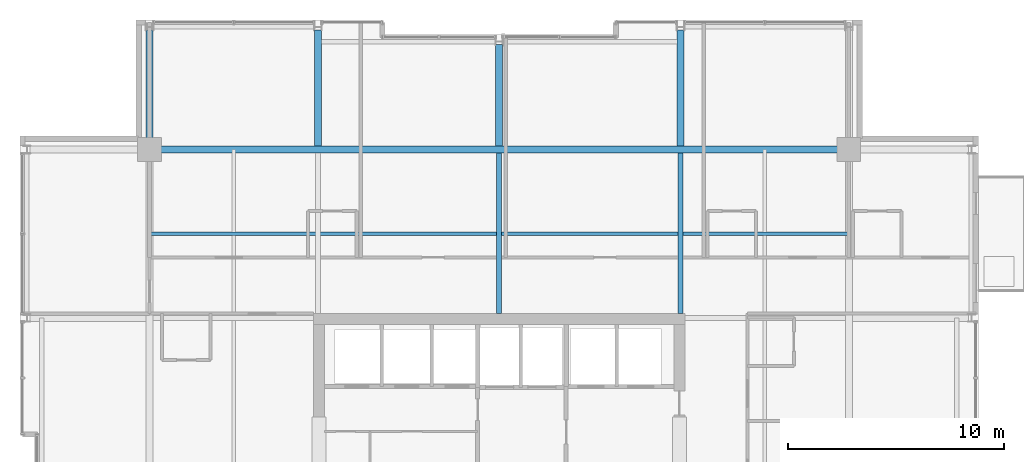
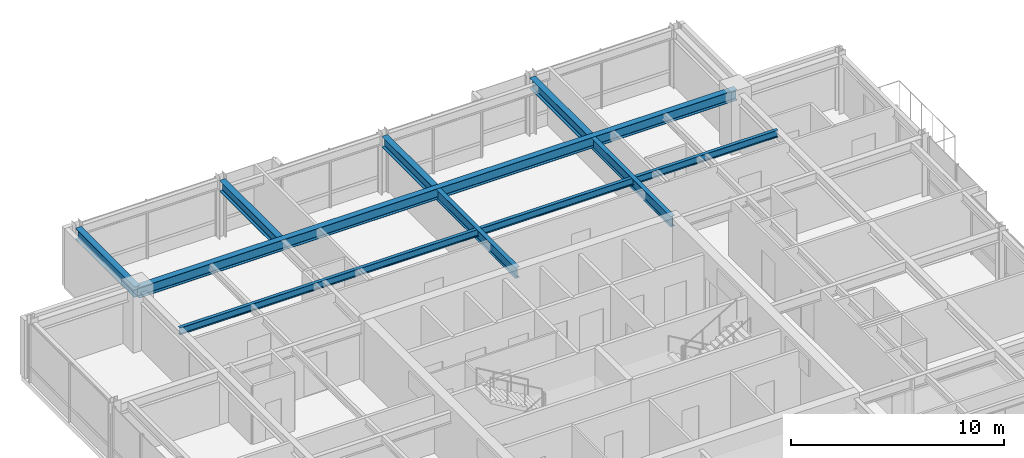
# One storey, part 20 of 33: 8 beams.
"""IFC4 building model written with IfcOpenShell, lengths in metres."""

from ifc_helpers import new_model, si_unit, direction, frame, origin, origin_2d, place, context, subcontext, project, spatial, i_section, extrude, material, material_profile, profile_set, type_object, element, save


model = new_model("IFC4")

# Units and contexts
model_context = context("Model", 3, precision=1e-05, world=origin(), true_north=direction((0.0, 1.0)))
body_context = subcontext(model_context, "Body", "Model", "MODEL_VIEW")
ifc_project = project(units=[si_unit("LENGTHUNIT", "METRE"), si_unit("AREAUNIT", "SQUARE_METRE"), si_unit("VOLUMEUNIT", "CUBIC_METRE"), si_unit("PLANEANGLEUNIT", "RADIAN"), si_unit("MASSUNIT", "GRAM", prefix="KILO")], contexts=[model_context])

# Site, building, storey
site_placement = place(None, origin())
site = spatial("IfcSite", under=ifc_project, at=site_placement, CompositionType="ELEMENT")
building_placement = place(site_placement, origin())
building = spatial("IfcBuilding", under=site, at=building_placement, Name="Drelvath Grand Hotel", CompositionType="ELEMENT")
storey_placement = place(building_placement, frame((0.0, 0.0, 248.300048828125)))
storey = spatial("IfcBuildingStorey", under=building, at=storey_placement, Name="L65", CompositionType="ELEMENT", Elevation=248.300048828125)

# Beams
ifc_material = material(Name="Steel ASTM A992 Gr 50", Category="steel")
ifc_material_profile_1 = material_profile(ifc_material, i_section(OverallWidth=0.177734375, OverallDepth=0.40673828125, WebThickness=0.0078125, FlangeThickness=0.0126953125, FilletRadius=0.014892578125, at=origin_2d()), Name="W16X40")
ifc_profile_set_1 = profile_set([ifc_material_profile_1], Name="Steel ASTM A992 Gr 50")
beam_type_1 = type_object("IfcBeamType", Name="Composite Floor Joist W16X40", PredefinedType="JOIST", material=ifc_profile_set_1)
beam_1_placement = place(storey_placement, frame((-16.199951171875, 39.300048828125, 3.136474609375), z_axis=(1.0, 0.0, 0.0), x_axis=(0.0, 1.0, 0.0)))
element("IfcBeam", 1, at=beam_1_placement, inside=storey, type_object=beam_type_1, Name="L65 Floor Joist J2", PredefinedType="JOIST", context=body_context, shape_type="SweptSolid", body=[
    extrude(i_section(OverallWidth=0.177734375, OverallDepth=0.40673828125, WebThickness=0.0078125, FlangeThickness=0.0126953125, FilletRadius=0.014892578125, at=origin_2d()), origin(), (0.0, 0.0, 1.0), 32.39990234375),
])
ifc_material_profile_2 = material_profile(ifc_material, i_section(OverallWidth=0.323974609375, OverallDepth=0.611083984375, WebThickness=0.0126953125, FlangeThickness=0.01904296875, FilletRadius=0.02197265625, at=origin_2d()), Name="W24X104")
ifc_profile_set_2 = profile_set([ifc_material_profile_2], Name="Steel ASTM A992 Gr 50")
beam_type_2 = type_object("IfcBeamType", Name="Primary Floor Girder W24X104", PredefinedType="BEAM", material=ifc_profile_set_2)
beam_2_placement = place(storey_placement, frame((-16.199951171875, 43.199951171875, 3.034423828125), z_axis=(1.0, 0.0, 0.0), x_axis=(0.0, 1.0, 0.0)))
element("IfcBeam", 2, at=beam_2_placement, inside=storey, type_object=beam_type_2, Name="L65 Mega Ring Girder North", PredefinedType="BEAM", context=body_context, shape_type="SweptSolid", body=[
    extrude(i_section(OverallWidth=0.323974609375, OverallDepth=0.611083984375, WebThickness=0.0126953125, FlangeThickness=0.01904296875, FilletRadius=0.02197265625, at=origin_2d()), origin(), (0.0, 0.0, 1.0), 32.39990234375),
])
beam_3_placement = place(storey_placement, frame((-16.199951171875, 43.199951171875, 3.034423828125), z_axis=(0.0, 1.0, 0.0), x_axis=(-1.0, 0.0, 0.0)))
element("IfcBeam", 3, at=beam_3_placement, inside=storey, type_object=beam_type_2, Name="L65 North Grid Girder 3", PredefinedType="BEAM", context=body_context, shape_type="SweptSolid", body=[
    extrude(i_section(OverallWidth=0.323974609375, OverallDepth=0.611083984375, WebThickness=0.0126953125, FlangeThickness=0.01904296875, FilletRadius=0.02197265625, at=origin_2d()), origin(), (0.0, 0.0, 1.0), 5.5400390625),
])
beam_4_placement = place(storey_placement, frame((-8.39990234375, 43.362060546875, 3.034423828125), z_axis=(0.0, 1.0, 0.0), x_axis=(-1.0, 0.0, 0.0)))
element("IfcBeam", 4, at=beam_4_placement, inside=storey, type_object=beam_type_2, Name="L65 North Wing Girder 4", PredefinedType="BEAM", context=body_context, shape_type="SweptSolid", body=[
    extrude(i_section(OverallWidth=0.323974609375, OverallDepth=0.611083984375, WebThickness=0.0126953125, FlangeThickness=0.01904296875, FilletRadius=0.02197265625, at=origin_2d()), origin(), (0.0, 0.0, 1.0), 5.3779296875),
])
beam_5_placement = place(storey_placement, frame((0.0, 43.362060546875, 3.034423828125), z_axis=(0.0, 1.0, 0.0), x_axis=(-1.0, 0.0, 0.0)))
element("IfcBeam", 5, at=beam_5_placement, inside=storey, type_object=beam_type_2, Name="L65 North Wing Girder 5", PredefinedType="BEAM", context=body_context, shape_type="SweptSolid", body=[
    extrude(i_section(OverallWidth=0.323974609375, OverallDepth=0.611083984375, WebThickness=0.0126953125, FlangeThickness=0.01904296875, FilletRadius=0.02197265625, at=origin_2d()), origin(), (0.0, 0.0, 1.0), 4.697998046875),
])
beam_6_placement = place(storey_placement, frame((8.39990234375, 43.362060546875, 3.034423828125), z_axis=(0.0, 1.0, 0.0), x_axis=(-1.0, 0.0, 0.0)))
element("IfcBeam", 6, at=beam_6_placement, inside=storey, type_object=beam_type_2, Name="L65 North Wing Girder 6", PredefinedType="BEAM", context=body_context, shape_type="SweptSolid", body=[
    extrude(i_section(OverallWidth=0.323974609375, OverallDepth=0.611083984375, WebThickness=0.0126953125, FlangeThickness=0.01904296875, FilletRadius=0.02197265625, at=origin_2d()), origin(), (0.0, 0.0, 1.0), 5.3779296875),
])
ifc_material_profile_3 = material_profile(ifc_material, i_section(OverallWidth=0.228271484375, OverallDepth=0.607666015625, WebThickness=0.01123046875, FlangeThickness=0.017333984375, FilletRadius=0.02001953125, at=origin_2d()), Name="W24X76")
ifc_profile_set_3 = profile_set([ifc_material_profile_3], Name="Steel ASTM A992 Gr 50")
beam_type_3 = type_object("IfcBeamType", Name="Primary Floor Girder W24X76", PredefinedType="BEAM", material=ifc_profile_set_3)
for number, where, z_axis, x_axis, name in (
    (7, (0.0, 35.60009765625, 3.0361328125), (0.0, 1.0, 0.0), (-1.0, 0.0, 0.0), "L65 North Core Tie 5"),
    (8, (8.39990234375, 35.60009765625, 3.0361328125), (0.0, 1.0, 0.0), (-1.0, 0.0, 0.0), "L65 North Core Tie 6"),
):
    element("IfcBeam", number, at=place(storey_placement, frame(where, z_axis=z_axis, x_axis=x_axis)), inside=storey, type_object=beam_type_3, Name=name, PredefinedType="BEAM", context=body_context, shape_type="SweptSolid", body=[
        extrude(i_section(OverallWidth=0.228271484375, OverallDepth=0.607666015625, WebThickness=0.01123046875, FlangeThickness=0.017333984375, FilletRadius=0.02001953125, at=origin_2d()), origin(), (0.0, 0.0, 1.0), 7.43798828125),
    ])

save(model, "model.ifc")
